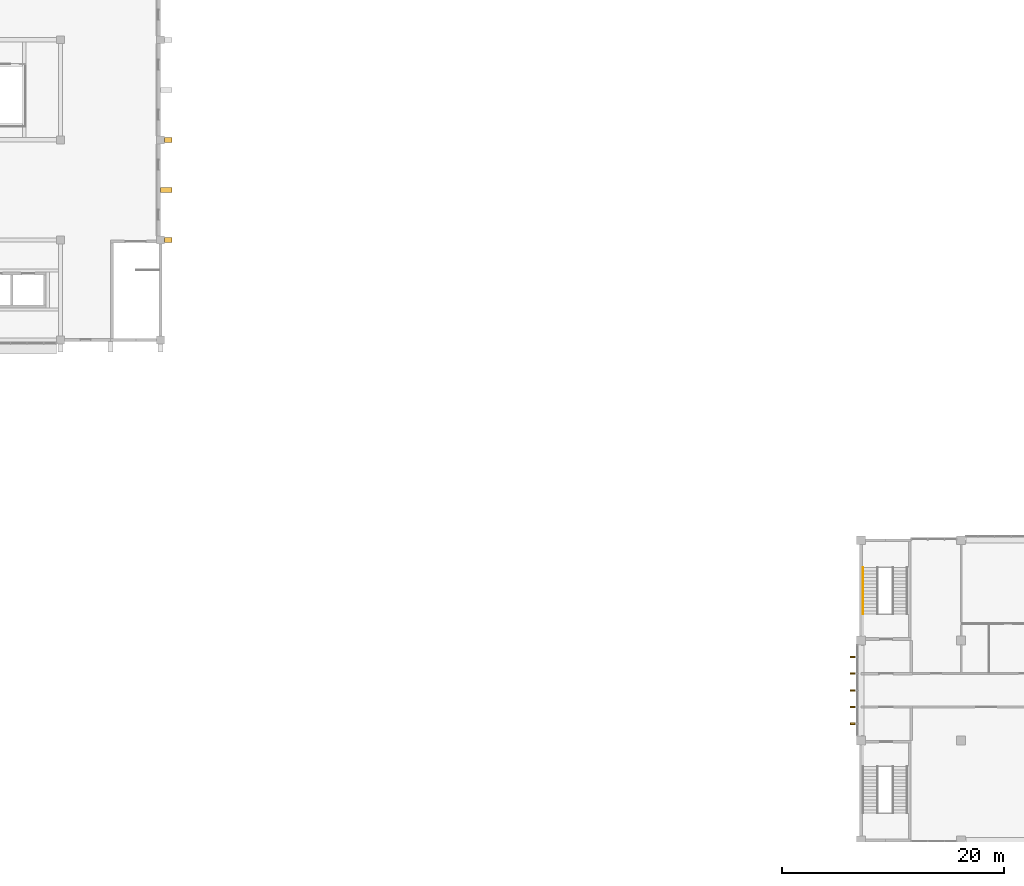
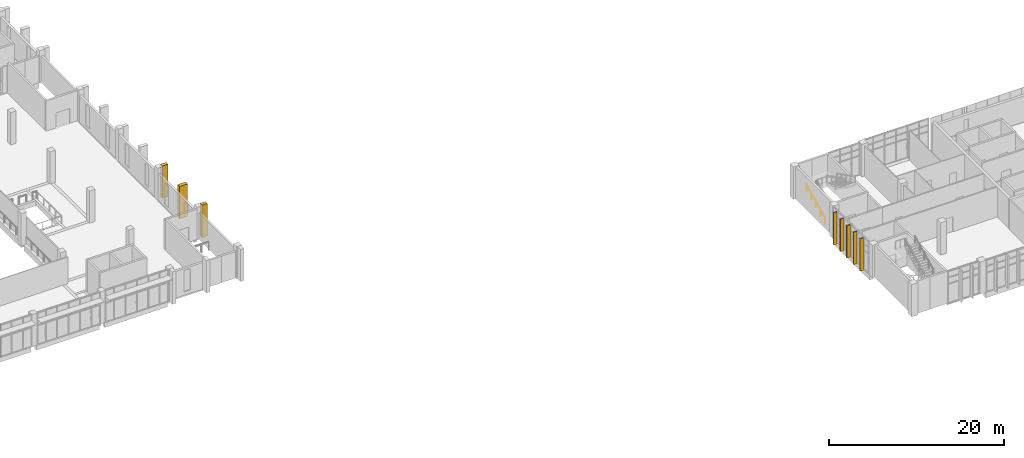
# One storey, part 35 of 40: 5 shading devices, 3 coverings, 1 railing.
"""IFC4 building model written with IfcOpenShell, lengths in metres."""

from ifc_helpers import new_model, si_unit, direction, frame, origin, origin_2d, place, context, subcontext, project, spatial, rectangle, circle, extrude, material, layer, layer_set, type_object, element, save


model = new_model("IFC4")

# Units and contexts
model_context = context("Model", 3, precision=1e-05, world=origin(), true_north=direction((0.0, 1.0)))
body_context = subcontext(model_context, "Body", "Model", "MODEL_VIEW")
ifc_project = project(units=[si_unit("LENGTHUNIT", "METRE"), si_unit("AREAUNIT", "SQUARE_METRE"), si_unit("VOLUMEUNIT", "CUBIC_METRE"), si_unit("PLANEANGLEUNIT", "RADIAN"), si_unit("MASSUNIT", "GRAM", prefix="KILO")], contexts=[model_context])

# Site, building, storey
site_placement = place(None, origin())
site = spatial("IfcSite", under=ifc_project, at=site_placement, CompositionType="ELEMENT")
building_placement = place(site_placement, origin())
building = spatial("IfcBuilding", under=site, at=building_placement, Name="Guidao Yard Department Store", CompositionType="ELEMENT")
storey_placement = place(building_placement, frame((0.0, 0.0, 24.0)))
storey = spatial("IfcBuildingStorey", under=building, at=storey_placement, Name="L05", CompositionType="ELEMENT", Elevation=24.0)

# Railing
ifc_material_1 = material(Name="Steel Q235", Category="steel")
railing_type = type_object("IfcRailingType", Name="Handrail steel tube 48", PredefinedType="HANDRAIL", material=ifc_material_1)
railing_placement = place(storey_placement, frame((126.18505859375, 20.35009765625, 0.14990234375)))
element("IfcRailing", 1, at=railing_placement, inside=storey, type_object=railing_type, Name="Stair O3 hand rail L05 17", PredefinedType="HANDRAIL", context=body_context, shape_type="SweptSolid", body=[
    extrude(circle(Radius=0.02392578125, at=origin_2d()), frame((0.0, 0.0, 0.8759765625), z_axis=(0.0, 0.894416792377, 0.447234392142), x_axis=(-1.0, 0.0, 0.0)), (0.0, 0.0, 1.0), 4.69580078125),
    extrude(circle(Radius=0.02099609375, at=origin_2d()), origin(), (0.0, 0.0, 1.0), 0.851806640625),
    extrude(circle(Radius=0.02099609375, at=origin_2d()), frame((0.0, 1.050048828125, 0.52490234375)), (0.0, 0.0, 1.0), 0.851806640625),
    extrude(circle(Radius=0.02099609375, at=origin_2d()), frame((0.0, 2.10009765625, 1.050048828125)), (0.0, 0.0, 1.0), 0.851806640625),
    extrude(circle(Radius=0.02099609375, at=origin_2d()), frame((0.0, 3.14990234375, 1.5751953125)), (0.0, 0.0, 1.0), 0.851806640625),
    extrude(circle(Radius=0.02099609375, at=origin_2d()), frame((0.0, 4.199951171875, 2.10009765625)), (0.0, 0.0, 1.0), 0.851806640625),
])

# Coverings
ifc_material_2 = material(Name="Precast concrete C40/50", Category="concrete")
ifc_layer = layer(ifc_material_2, 0.449951171875)
ifc_layer_set = layer_set([ifc_layer], Name="Precast fin FN1 board-formed concrete")
covering_type = type_object("IfcCoveringType", Name="Precast fin FN1 board-formed concrete", PredefinedType="CLADDING", material=ifc_layer_set)
covering_1_placement = place(storey_placement, frame((63.699951171875, 54.0, 0.0), z_axis=(0.0, 0.0, 1.0), x_axis=(0.0, -1.0, 0.0)))
element("IfcCovering", 2, at=covering_1_placement, inside=storey, type_object=covering_type, Name="Precast fin", PredefinedType="CLADDING", context=body_context, shape_type="SweptSolid", body=[
    extrude(rectangle(XDim=0.449951171875, YDim=0.699951171875, at=origin_2d()), origin(), (0.0, 0.0, 1.0), 4.5),
])
covering_2_placement = place(storey_placement, frame((63.52490234375, 58.5, 0.0), z_axis=(0.0, 0.0, 1.0), x_axis=(0.0, -1.0, 0.0)))
element("IfcCovering", 3, at=covering_2_placement, inside=storey, type_object=covering_type, Name="Precast fin", PredefinedType="CLADDING", context=body_context, shape_type="SweptSolid", body=[
    extrude(rectangle(XDim=0.449951171875, YDim=1.050048828125, at=origin_2d()), origin(), (0.0, 0.0, 1.0), 4.5),
])
covering_3_placement = place(storey_placement, frame((63.699951171875, 63.0, 0.0), z_axis=(0.0, 0.0, 1.0), x_axis=(0.0, -1.0, 0.0)))
element("IfcCovering", 4, at=covering_3_placement, inside=storey, type_object=covering_type, Name="Precast fin", PredefinedType="CLADDING", context=body_context, shape_type="SweptSolid", body=[
    extrude(rectangle(XDim=0.449951171875, YDim=0.699951171875, at=origin_2d()), origin(), (0.0, 0.0, 1.0), 4.5),
])

# Shading devices
ifc_material_3 = material(Name="Aluminium 6063-T5", Category="aluminium")
shading_device_type = type_object("IfcShadingDeviceType", Name="Vertical fin FN2 aluminium 150 x 450", PredefinedType="SHUTTER", material=ifc_material_3)
for number, where, z_axis, x_axis, name in (
    (5, (125.264892578125, 10.5, 0.0), (0.0, 0.0, 1.0), (0.0, 1.0, 0.0), "Vertical fin"),
    (6, (125.264892578125, 12.0, 0.0), (0.0, 0.0, 1.0), (0.0, 1.0, 0.0), "Vertical fin"),
    (7, (125.264892578125, 13.5, 0.0), (0.0, 0.0, 1.0), (0.0, 1.0, 0.0), "Vertical fin"),
    (8, (125.264892578125, 15.0, 0.0), (0.0, 0.0, 1.0), (0.0, 1.0, 0.0), "Vertical fin"),
    (9, (125.264892578125, 16.5, 0.0), (0.0, 0.0, 1.0), (0.0, 1.0, 0.0), "Vertical fin"),
):
    element("IfcShadingDevice", number, at=place(storey_placement, frame(where, z_axis=z_axis, x_axis=x_axis)), inside=storey, type_object=shading_device_type, Name=name, PredefinedType="SHUTTER", context=body_context, shape_type="SweptSolid", body=[
        extrude(rectangle(XDim=0.14990234375, YDim=0.449951171875, at=origin_2d()), origin(), (0.0, 0.0, 1.0), 4.5),
    ])

save(model, "model.ifc")
